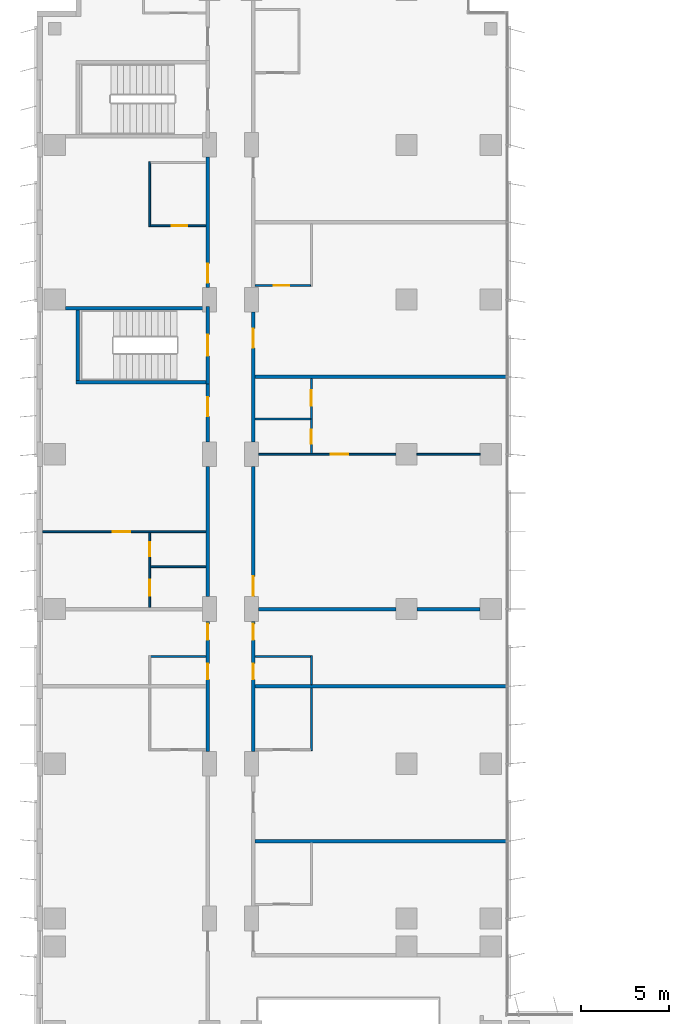
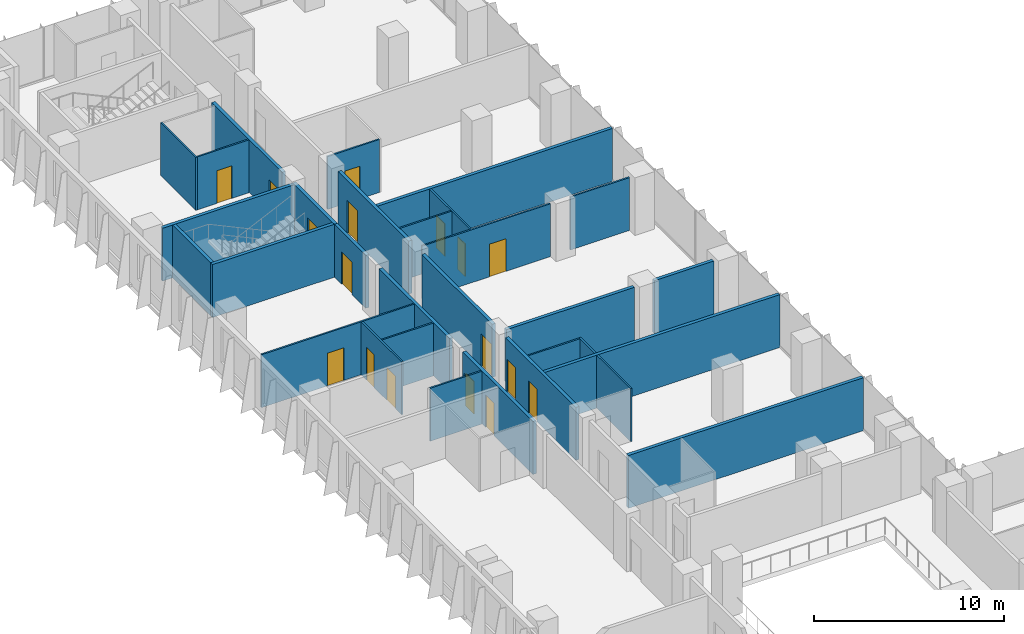
# One storey, part 16 of 22: 30 walls, 17 doors, 17 openings.
"""IFC4 building model written with IfcOpenShell, lengths in metres."""

from ifc_helpers import new_model, si_unit, direction, frame, frame_2d, origin, place, context, subcontext, project, spatial, rectangle, extrude, material, layer, layer_set, type_object, element, fill, save


model = new_model("IFC4")

# Units and contexts
model_context = context("Model", 3, precision=1e-05, world=origin(), true_north=direction((0.0, 1.0)))
body_context = subcontext(model_context, "Body", "Model", "MODEL_VIEW")
ifc_project = project(units=[si_unit("LENGTHUNIT", "METRE"), si_unit("AREAUNIT", "SQUARE_METRE"), si_unit("VOLUMEUNIT", "CUBIC_METRE"), si_unit("PLANEANGLEUNIT", "RADIAN"), si_unit("MASSUNIT", "GRAM", prefix="KILO")], contexts=[model_context])

# Site, building, storey
site_placement = place(None, origin())
site = spatial("IfcSite", under=ifc_project, at=site_placement, CompositionType="ELEMENT")
building_placement = place(site_placement, origin())
building = spatial("IfcBuilding", under=site, at=building_placement, Name="Kemantara Hotel Tower", CompositionType="ELEMENT")
storey_placement = place(building_placement, frame((0.0, 0.0, 125.89990234375)))
storey = spatial("IfcBuildingStorey", under=building, at=storey_placement, Name="L30", CompositionType="ELEMENT", Elevation=125.89990234375)

# Wall, openings, doors
ifc_material_1 = material(Name="Gypsum board partition, steel studs and mineral wool, 200 mm", Category="steel")
ifc_layer_1 = layer(ifc_material_1, 0.199951171875)
ifc_layer_set_1 = layer_set([ifc_layer_1], Name="Gypsum board partition, steel studs and mineral wool, 200 mm")
wall_type_1 = type_object("IfcWallType", Name="CORRIDOR WALL 200", PredefinedType="PARTITIONING", material=ifc_layer_set_1)
wall_1_placement = place(storey_placement, frame((9.699951171875, 36.900146484375, 0.0), z_axis=(0.0, 0.0, 1.0), x_axis=(0.0, 1.0, 0.0)))
wall_1 = element("IfcWall", 1, at=wall_1_placement, inside=storey, type_object=wall_type_1, Name="CORRIDOR WALL 200 018", PredefinedType="PARTITIONING", context=body_context, shape_type="SweptSolid", body=[
    extrude(rectangle(XDim=7.399658203125, YDim=0.199951171875, at=frame_2d((3.69970703125, 0.0))), origin(), (0.0, 0.0, 1.0), 3.400146484375),
])
opening_1_placement = place(wall_1_placement, frame((6.349853515625, 0.0, 0.0)))
opening_1 = element("IfcOpeningElement", 2, at=opening_1_placement, cuts=wall_1, Name="Opening F13-020", PredefinedType="OPENING", context=body_context, shape_type="SweptSolid", body=[
    extrude(rectangle(XDim=0.89990234375, YDim=2.10009765625, at=frame_2d((0.449951171875, 1.050048828125))), frame((0.0, 0.10986328125, 0.0), z_axis=(0.0, -1.0, 0.0), x_axis=(1.0, 0.0, 0.0)), (0.0, 0.0, 1.0), 0.219970703125),
])
opening_2_placement = place(wall_1_placement, frame((4.099853515625, 0.0, 0.0)))
opening_2 = element("IfcOpeningElement", 3, at=opening_2_placement, cuts=wall_1, Name="Opening F13-021", PredefinedType="OPENING", context=body_context, shape_type="SweptSolid", body=[
    extrude(rectangle(XDim=0.89990234375, YDim=2.10009765625, at=frame_2d((0.449951171875, 1.050048828125))), frame((0.0, 0.10986328125, 0.0), z_axis=(0.0, -1.0, 0.0), x_axis=(1.0, 0.0, 0.0)), (0.0, 0.0, 1.0), 0.219970703125),
])
ifc_material_2 = material(Name="Steel door leaf with steel frame", Category="steel")
door_type_1 = type_object("IfcDoorType", Name="SERVICE ROOM DOOR 900 X 2100 FD60", OperationType="NOTDEFINED", PredefinedType="DOOR", material=ifc_material_2)
door_1_placement = place(opening_1_placement, origin())
door_1 = element("IfcDoor", 4, at=door_1_placement, inside=storey, type_object=door_type_1, Name="SERVICE ROOM DOOR F13-020", OperationType="SINGLE_SWING_RIGHT", OverallHeight=2.10009765625, OverallWidth=0.89990234375, PredefinedType="DOOR", context=body_context, shape_type="SweptSolid", body=[
    extrude(rectangle(XDim=0.89990234375, YDim=2.10009765625, at=frame_2d((0.449951171875, 1.050048828125))), frame((0.0, 0.02490234375, 0.0), z_axis=(0.0, -1.0, 0.0), x_axis=(1.0, 0.0, 0.0)), (0.0, 0.0, 1.0), 0.050048828125),
])
fill(opening_1, door_1)
door_2_placement = place(opening_2_placement, origin())
door_2 = element("IfcDoor", 5, at=door_2_placement, inside=storey, type_object=door_type_1, Name="SERVICE ROOM DOOR F13-021", OperationType="SINGLE_SWING_LEFT", OverallHeight=2.10009765625, OverallWidth=0.89990234375, PredefinedType="DOOR", context=body_context, shape_type="SweptSolid", body=[
    extrude(rectangle(XDim=0.89990234375, YDim=2.10009765625, at=frame_2d((0.449951171875, 1.050048828125))), frame((0.0, 0.02490234375, 0.0), z_axis=(0.0, -1.0, 0.0), x_axis=(1.0, 0.0, 0.0)), (0.0, 0.0, 1.0), 0.050048828125),
])
fill(opening_2, door_2)

# Wall
wall_2_placement = place(storey_placement, frame((9.699951171875, 45.7001953125, 0.0), z_axis=(0.0, 0.0, 1.0), x_axis=(0.0, 1.0, 0.0)))
element("IfcWall", 6, at=wall_2_placement, inside=storey, type_object=wall_type_1, Name="CORRIDOR WALL 200 019", PredefinedType="PARTITIONING", context=body_context, shape_type="SweptSolid", body=[
    extrude(rectangle(XDim=7.399658203125, YDim=0.199951171875, at=frame_2d((3.69970703125, 0.0))), origin(), (0.0, 0.0, 1.0), 3.400146484375),
])

# Wall, opening, door
wall_3_placement = place(storey_placement, frame((9.699951171875, 54.5, 0.0), z_axis=(0.0, 0.0, 1.0), x_axis=(0.0, 1.0, 0.0)))
wall_3 = element("IfcWall", 7, at=wall_3_placement, inside=storey, type_object=wall_type_1, Name="CORRIDOR WALL 200 020", PredefinedType="PARTITIONING", context=body_context, shape_type="SweptSolid", body=[
    extrude(rectangle(XDim=3.300048828125, YDim=0.199951171875, at=frame_2d((1.64990234375, 0.0))), origin(), (0.0, 0.0, 1.0), 3.400146484375),
])
opening_3_placement = place(wall_3_placement, frame((1.449951171875, 0.0, 0.0)))
opening_3 = element("IfcOpeningElement", 8, at=opening_3_placement, cuts=wall_3, Name="Opening F13-022", PredefinedType="OPENING", context=body_context, shape_type="SweptSolid", body=[
    extrude(rectangle(XDim=1.10009765625, YDim=2.10009765625, at=frame_2d((0.550048828125, 1.050048828125))), frame((0.0, 0.10986328125, 0.0), z_axis=(0.0, -1.0, 0.0), x_axis=(1.0, 0.0, 0.0)), (0.0, 0.0, 1.0), 0.219970703125),
])
ifc_material_3 = material(Name="Hardwood veneer door leaf with steel frame", Category="steel")
door_type_2 = type_object("IfcDoorType", Name="SUITE ENTRANCE DOOR 1100 X 2100 FD30S", OperationType="NOTDEFINED", PredefinedType="DOOR", material=ifc_material_3)
door_3_placement = place(opening_3_placement, origin())
door_3 = element("IfcDoor", 9, at=door_3_placement, inside=storey, type_object=door_type_2, Name="SUITE ENTRANCE DOOR F13-022", OperationType="SINGLE_SWING_RIGHT", OverallHeight=2.10009765625, OverallWidth=1.10009765625, PredefinedType="DOOR", context=body_context, shape_type="SweptSolid", body=[
    extrude(rectangle(XDim=1.10009765625, YDim=2.10009765625, at=frame_2d((0.550048828125, 1.050048828125))), frame((0.0, 0.02490234375, 0.0), z_axis=(0.0, -1.0, 0.0), x_axis=(1.0, 0.0, 0.0)), (0.0, 0.0, 1.0), 0.050048828125),
])
fill(opening_3, door_3)

wall_4_placement = place(storey_placement, frame((9.699951171875, 63.300048828125, 0.0), z_axis=(0.0, 0.0, 1.0), x_axis=(0.0, 1.0, 0.0)))
wall_4 = element("IfcWall", 10, at=wall_4_placement, inside=storey, type_object=wall_type_1, Name="CORRIDOR WALL 200 021", PredefinedType="PARTITIONING", context=body_context, shape_type="SweptSolid", body=[
    extrude(rectangle(XDim=7.39990234375, YDim=0.199951171875, at=frame_2d((3.699951171875, 0.0))), origin(), (0.0, 0.0, 1.0), 3.400146484375),
])
opening_4_placement = place(wall_4_placement, frame((0.25, 0.0, 0.0)))
opening_4 = element("IfcOpeningElement", 11, at=opening_4_placement, cuts=wall_4, Name="Opening F13-026", PredefinedType="OPENING", context=body_context, shape_type="SweptSolid", body=[
    extrude(rectangle(XDim=1.10009765625, YDim=2.10009765625, at=frame_2d((0.550048828125, 1.050048828125))), frame((0.0, 0.10986328125, 0.0), z_axis=(0.0, -1.0, 0.0), x_axis=(1.0, 0.0, 0.0)), (0.0, 0.0, 1.0), 0.219970703125),
])
door_4_placement = place(opening_4_placement, origin())
door_4 = element("IfcDoor", 12, at=door_4_placement, inside=storey, type_object=door_type_2, Name="SUITE ENTRANCE DOOR F13-026", OperationType="SINGLE_SWING_LEFT", OverallHeight=2.10009765625, OverallWidth=1.10009765625, PredefinedType="DOOR", context=body_context, shape_type="SweptSolid", body=[
    extrude(rectangle(XDim=1.10009765625, YDim=2.10009765625, at=frame_2d((0.550048828125, 1.050048828125))), frame((0.0, 0.02490234375, 0.0), z_axis=(0.0, -1.0, 0.0), x_axis=(1.0, 0.0, 0.0)), (0.0, 0.0, 1.0), 0.050048828125),
])
fill(opening_4, door_4)

# Wall, openings, doors
wall_5_placement = place(storey_placement, frame((12.300048828125, 44.2998046875, 0.0), z_axis=(0.0, 0.0, 1.0), x_axis=(0.0, -1.0, 0.0)))
wall_5 = element("IfcWall", 13, at=wall_5_placement, inside=storey, type_object=wall_type_1, Name="CORRIDOR WALL 200 031", PredefinedType="PARTITIONING", context=body_context, shape_type="SweptSolid", body=[
    extrude(rectangle(XDim=7.399658203125, YDim=0.199951171875, at=frame_2d((3.69970703125, 0.0))), origin(), (0.0, 0.0, 1.0), 3.400146484375),
])
opening_5_placement = place(wall_5_placement, frame((0.14990234375, 0.0, 0.0)))
opening_5 = element("IfcOpeningElement", 14, at=opening_5_placement, cuts=wall_5, Name="Opening F13-034", PredefinedType="OPENING", context=body_context, shape_type="SweptSolid", body=[
    extrude(rectangle(XDim=0.89990234375, YDim=2.10009765625, at=frame_2d((0.449951171875, 1.050048828125))), frame((0.0, 0.10986328125, 0.0), z_axis=(0.0, -1.0, 0.0), x_axis=(1.0, 0.0, 0.0)), (0.0, 0.0, 1.0), 0.219970703125),
])
opening_6_placement = place(wall_5_placement, frame((2.39990234375, 0.0, 0.0)))
opening_6 = element("IfcOpeningElement", 15, at=opening_6_placement, cuts=wall_5, Name="Opening F13-035", PredefinedType="OPENING", context=body_context, shape_type="SweptSolid", body=[
    extrude(rectangle(XDim=0.89990234375, YDim=2.10009765625, at=frame_2d((0.449951171875, 1.050048828125))), frame((0.0, 0.10986328125, 0.0), z_axis=(0.0, -1.0, 0.0), x_axis=(1.0, 0.0, 0.0)), (0.0, 0.0, 1.0), 0.219970703125),
])
door_5_placement = place(opening_5_placement, origin())
door_5 = element("IfcDoor", 16, at=door_5_placement, inside=storey, type_object=door_type_1, Name="SERVICE ROOM DOOR F13-034", OperationType="SINGLE_SWING_LEFT", OverallHeight=2.10009765625, OverallWidth=0.89990234375, PredefinedType="DOOR", context=body_context, shape_type="SweptSolid", body=[
    extrude(rectangle(XDim=0.89990234375, YDim=2.10009765625, at=frame_2d((0.449951171875, 1.050048828125))), frame((0.0, 0.02490234375, 0.0), z_axis=(0.0, -1.0, 0.0), x_axis=(1.0, 0.0, 0.0)), (0.0, 0.0, 1.0), 0.050048828125),
])
fill(opening_5, door_5)
door_6_placement = place(opening_6_placement, origin())
door_6 = element("IfcDoor", 17, at=door_6_placement, inside=storey, type_object=door_type_1, Name="SERVICE ROOM DOOR F13-035", OperationType="SINGLE_SWING_RIGHT", OverallHeight=2.10009765625, OverallWidth=0.89990234375, PredefinedType="DOOR", context=body_context, shape_type="SweptSolid", body=[
    extrude(rectangle(XDim=0.89990234375, YDim=2.10009765625, at=frame_2d((0.449951171875, 1.050048828125))), frame((0.0, 0.02490234375, 0.0), z_axis=(0.0, -1.0, 0.0), x_axis=(1.0, 0.0, 0.0)), (0.0, 0.0, 1.0), 0.050048828125),
])
fill(opening_6, door_6)

# Wall, opening, door
wall_6_placement = place(storey_placement, frame((12.300048828125, 53.099853515625, 0.0), z_axis=(0.0, 0.0, 1.0), x_axis=(0.0, -1.0, 0.0)))
wall_6 = element("IfcWall", 18, at=wall_6_placement, inside=storey, type_object=wall_type_1, Name="CORRIDOR WALL 200 032", PredefinedType="PARTITIONING", context=body_context, shape_type="SweptSolid", body=[
    extrude(rectangle(XDim=7.399658203125, YDim=0.199951171875, at=frame_2d((3.69970703125, 0.0))), origin(), (0.0, 0.0, 1.0), 3.400146484375),
])
opening_7_placement = place(wall_6_placement, frame((6.25, 0.0, 0.0)))
opening_7 = element("IfcOpeningElement", 19, at=opening_7_placement, cuts=wall_6, Name="Opening F13-036", PredefinedType="OPENING", context=body_context, shape_type="SweptSolid", body=[
    extrude(rectangle(XDim=1.10009765625, YDim=2.10009765625, at=frame_2d((0.550048828125, 1.050048828125))), frame((0.0, 0.10986328125, 0.0), z_axis=(0.0, -1.0, 0.0), x_axis=(1.0, 0.0, 0.0)), (0.0, 0.0, 1.0), 0.219970703125),
])
door_7_placement = place(opening_7_placement, origin())
door_7 = element("IfcDoor", 20, at=door_7_placement, inside=storey, type_object=door_type_2, Name="SUITE ENTRANCE DOOR F13-036", OperationType="SINGLE_SWING_RIGHT", OverallHeight=2.10009765625, OverallWidth=1.10009765625, PredefinedType="DOOR", context=body_context, shape_type="SweptSolid", body=[
    extrude(rectangle(XDim=1.10009765625, YDim=2.10009765625, at=frame_2d((0.550048828125, 1.050048828125))), frame((0.0, 0.02490234375, 0.0), z_axis=(0.0, -1.0, 0.0), x_axis=(1.0, 0.0, 0.0)), (0.0, 0.0, 1.0), 0.050048828125),
])
fill(opening_7, door_7)

wall_7_placement = place(storey_placement, frame((12.300048828125, 61.89990234375, 0.0), z_axis=(0.0, 0.0, 1.0), x_axis=(0.0, -1.0, 0.0)))
wall_7 = element("IfcWall", 21, at=wall_7_placement, inside=storey, type_object=wall_type_1, Name="CORRIDOR WALL 200 033", PredefinedType="PARTITIONING", context=body_context, shape_type="SweptSolid", body=[
    extrude(rectangle(XDim=7.39990234375, YDim=0.199951171875, at=frame_2d((3.699951171875, 0.0))), origin(), (0.0, 0.0, 1.0), 3.400146484375),
])
opening_8_placement = place(wall_7_placement, frame((0.949951171875, 0.0, 0.0)))
opening_8 = element("IfcOpeningElement", 22, at=opening_8_placement, cuts=wall_7, Name="Opening F13-040", PredefinedType="OPENING", context=body_context, shape_type="SweptSolid", body=[
    extrude(rectangle(XDim=1.10009765625, YDim=2.10009765625, at=frame_2d((0.550048828125, 1.050048828125))), frame((0.0, 0.10986328125, 0.0), z_axis=(0.0, -1.0, 0.0), x_axis=(1.0, 0.0, 0.0)), (0.0, 0.0, 1.0), 0.219970703125),
])
door_8_placement = place(opening_8_placement, origin())
door_8 = element("IfcDoor", 23, at=door_8_placement, inside=storey, type_object=door_type_2, Name="SUITE ENTRANCE DOOR F13-040", OperationType="SINGLE_SWING_RIGHT", OverallHeight=2.10009765625, OverallWidth=1.10009765625, PredefinedType="DOOR", context=body_context, shape_type="SweptSolid", body=[
    extrude(rectangle(XDim=1.10009765625, YDim=2.10009765625, at=frame_2d((0.550048828125, 1.050048828125))), frame((0.0, 0.02490234375, 0.0), z_axis=(0.0, -1.0, 0.0), x_axis=(1.0, 0.0, 0.0)), (0.0, 0.0, 1.0), 0.050048828125),
])
fill(opening_8, door_8)

ifc_material_4 = material(Name="Concrete fc 40 MPa", Category="concrete")
ifc_layer_2 = layer(ifc_material_4, 0.199951171875)
ifc_layer_set_2 = layer_set([ifc_layer_2], Name="Concrete fc 40 MPa")
wall_type_2 = type_object("IfcWallType", Name="Concrete stair wall 200 mm", PredefinedType="SHEAR", material=ifc_layer_set_2)
wall_8_placement = place(storey_placement, frame((9.699951171875, 57.800048828125, 0.0), z_axis=(0.0, 0.0, 1.0), x_axis=(0.0, 1.0, 0.0)))
wall_8 = element("IfcWall", 24, at=wall_8_placement, inside=storey, type_object=wall_type_2, Name="Stair ST4 enclosure wall with door", PredefinedType="SHEAR", context=body_context, shape_type="SweptSolid", body=[
    extrude(rectangle(XDim=4.39990234375, YDim=0.199951171875, at=frame_2d((2.199951171875, 0.0))), origin(), (0.0, 0.0, 1.0), 3.400146484375),
])
opening_9_placement = place(wall_8_placement, frame((1.60009765625, 0.0, 0.0)))
opening_9 = element("IfcOpeningElement", 25, at=opening_9_placement, cuts=wall_8, Name="Opening ST4-C", PredefinedType="OPENING", context=body_context, shape_type="SweptSolid", body=[
    extrude(rectangle(XDim=1.199951171875, YDim=2.10009765625, at=frame_2d((0.60009765625, 1.050048828125))), frame((0.0, 0.10986328125, 0.0), z_axis=(0.0, -1.0, 0.0), x_axis=(1.0, 0.0, 0.0)), (0.0, 0.0, 1.0), 0.219970703125),
])
ifc_material_5 = material(Name="Steel fire door", Category="steel")
door_type_3 = type_object("IfcDoorType", Name="Fire door FD90 1200 x 2100", OperationType="NOTDEFINED", PredefinedType="DOOR", material=ifc_material_5)
door_9_placement = place(opening_9_placement, origin())
door_9 = element("IfcDoor", 26, at=door_9_placement, inside=storey, type_object=door_type_3, Name="Stair ST4 door", OperationType="SINGLE_SWING_RIGHT", OverallHeight=2.10009765625, OverallWidth=1.199951171875, PredefinedType="DOOR", context=body_context, shape_type="SweptSolid", body=[
    extrude(rectangle(XDim=1.199951171875, YDim=2.10009765625, at=frame_2d((0.60009765625, 1.050048828125))), frame((0.0, 0.02490234375, 0.0), z_axis=(0.0, -1.0, 0.0), x_axis=(1.0, 0.0, 0.0)), (0.0, 0.0, 1.0), 0.050048828125),
])
fill(opening_9, door_9)

# Walls
wall_9_placement = place(storey_placement, frame((1.60009765625, 62.10009765625, 0.0), z_axis=(0.0, 0.0, 1.0), x_axis=(1.0, 0.0, 0.0)))
element("IfcWall", 27, at=wall_9_placement, inside=storey, type_object=wall_type_2, Name="Stair ST4 enclosure wall N", PredefinedType="SHEAR", context=body_context, shape_type="SweptSolid", body=[
    extrude(rectangle(XDim=8.0, YDim=0.199951171875, at=frame_2d((4.0, 0.0))), origin(), (0.0, 0.0, 1.0), 3.400146484375),
])
wall_10_placement = place(storey_placement, frame((2.199951171875, 57.89990234375, 0.0), z_axis=(0.0, 0.0, 1.0), x_axis=(1.0, 0.0, 0.0)))
element("IfcWall", 28, at=wall_10_placement, inside=storey, type_object=wall_type_2, Name="Stair ST4 enclosure wall S", PredefinedType="SHEAR", context=body_context, shape_type="SweptSolid", body=[
    extrude(rectangle(XDim=7.400146484375, YDim=0.199951171875, at=frame_2d((3.7001953125, 0.0))), origin(), (0.0, 0.0, 1.0), 3.400146484375),
])
wall_11_placement = place(storey_placement, frame((2.300048828125, 58.0, 0.0), z_axis=(0.0, 0.0, 1.0), x_axis=(0.0, 1.0, 0.0)))
element("IfcWall", 29, at=wall_11_placement, inside=storey, type_object=wall_type_2, Name="Stair ST4 enclosure wall W", PredefinedType="SHEAR", context=body_context, shape_type="SweptSolid", body=[
    extrude(rectangle(XDim=4.0, YDim=0.199951171875, at=frame_2d((2.0, 0.0))), origin(), (0.0, 0.0, 1.0), 3.400146484375),
])
ifc_layer_3 = layer(ifc_material_1, 0.199951171875)
ifc_layer_set_3 = layer_set([ifc_layer_3], Name="Gypsum board partition, steel studs and mineral wool, 200 mm")
wall_type_3 = type_object("IfcWallType", Name="GUEST ROOM PARTY WALL 200", PredefinedType="PARTITIONING", material=ifc_layer_set_3)
wall_12_placement = place(storey_placement, frame((12.39990234375, 40.60009765625, 0.0), z_axis=(0.0, 0.0, 1.0), x_axis=(1.0, 0.0, 0.0)))
element("IfcWall", 30, at=wall_12_placement, inside=storey, type_object=wall_type_3, Name="GUEST ROOM PARTY WALL 200 025", PredefinedType="PARTITIONING", context=body_context, shape_type="SweptSolid", body=[
    extrude(rectangle(XDim=14.27001953125, YDim=0.199951171875, at=frame_2d((7.135009765625, 0.0))), origin(), (0.0, 0.0, 1.0), 3.400146484375),
])
wall_13_placement = place(storey_placement, frame((12.60009765625, 45.0, 0.0), z_axis=(0.0, 0.0, 1.0), x_axis=(1.0, 0.0, 0.0)))
element("IfcWall", 31, at=wall_13_placement, inside=storey, type_object=wall_type_3, Name="GUEST ROOM PARTY WALL 200 027", PredefinedType="PARTITIONING", context=body_context, shape_type="SweptSolid", body=[
    extrude(rectangle(XDim=7.7998046875, YDim=0.199951171875, at=frame_2d((3.89990234375, 0.0))), origin(), (0.0, 0.0, 1.0), 3.400146484375),
])
wall_14_placement = place(storey_placement, frame((21.60009765625, 45.0, 0.0), z_axis=(0.0, 0.0, 1.0), x_axis=(1.0, 0.0, 0.0)))
element("IfcWall", 32, at=wall_14_placement, inside=storey, type_object=wall_type_3, Name="GUEST ROOM PARTY WALL 200 028", PredefinedType="PARTITIONING", context=body_context, shape_type="SweptSolid", body=[
    extrude(rectangle(XDim=3.599853515625, YDim=0.199951171875, at=frame_2d((1.7998046875, 0.0))), origin(), (0.0, 0.0, 1.0), 3.400146484375),
])
for number, where, z_axis, x_axis, name in (
    (33, (12.39990234375, 31.800048828125, 0.0), (0.0, 0.0, 1.0), (1.0, 0.0, 0.0), "GUEST ROOM PARTY WALL 200 038"),
    (34, (12.39990234375, 58.199951171875, 0.0), (0.0, 0.0, 1.0), (1.0, 0.0, 0.0), "GUEST ROOM PARTY WALL 200 039"),
):
    element("IfcWall", number, at=place(storey_placement, frame(where, z_axis=z_axis, x_axis=x_axis)), inside=storey, type_object=wall_type_3, Name=name, PredefinedType="PARTITIONING", context=body_context, shape_type="SweptSolid", body=[
        extrude(rectangle(XDim=14.27001953125, YDim=0.199951171875, at=frame_2d((7.135009765625, 0.0))), origin(), (0.0, 0.0, 1.0), 3.400146484375),
    ])

# Wall, openings, doors
ifc_material_6 = material(Name="Gypsum board partition on steel studs, 100 mm", Category="steel")
ifc_layer_4 = layer(ifc_material_6, 0.10009765625)
ifc_layer_set_4 = layer_set([ifc_layer_4], Name="Gypsum board partition on steel studs, 100 mm")
wall_type_4 = type_object("IfcWallType", Name="ROOM PARTITION 100", PredefinedType="PARTITIONING", material=ifc_layer_set_4)
wall_15_placement = place(storey_placement, frame((6.39990234375, 49.35009765625, 0.0), z_axis=(0.0, 0.0, 1.0), x_axis=(0.0, -1.0, 0.0)))
wall_15 = element("IfcWall", 35, at=wall_15_placement, inside=storey, type_object=wall_type_4, Name="ROOM PARTITION 100 063", PredefinedType="PARTITIONING", context=body_context, shape_type="SweptSolid", body=[
    extrude(rectangle(XDim=4.25, YDim=0.10009765625, at=frame_2d((2.125, 0.0))), origin(), (0.0, 0.0, 1.0), 3.400146484375),
])
opening_10_placement = place(wall_15_placement, frame((2.699951171875, 0.0, 0.0)))
opening_10 = element("IfcOpeningElement", 36, at=opening_10_placement, cuts=wall_15, Name="Opening F13-024", PredefinedType="OPENING", context=body_context, shape_type="SweptSolid", body=[
    extrude(rectangle(XDim=0.89990234375, YDim=2.10009765625, at=frame_2d((0.449951171875, 1.050048828125))), frame((0.0, 0.06005859375, 0.0), z_axis=(0.0, -1.0, 0.0), x_axis=(1.0, 0.0, 0.0)), (0.0, 0.0, 1.0), 0.1201171875),
])
opening_11_placement = place(wall_15_placement, frame((0.550048828125, 0.0, 0.0)))
opening_11 = element("IfcOpeningElement", 37, at=opening_11_placement, cuts=wall_15, Name="Opening F13-025", PredefinedType="OPENING", context=body_context, shape_type="SweptSolid", body=[
    extrude(rectangle(XDim=0.800048828125, YDim=2.10009765625, at=frame_2d((0.39990234375, 1.050048828125))), frame((0.0, 0.06005859375, 0.0), z_axis=(0.0, -1.0, 0.0), x_axis=(1.0, 0.0, 0.0)), (0.0, 0.0, 1.0), 0.1201171875),
])
door_type_4 = type_object("IfcDoorType", Name="BATHROOM DOOR 900 X 2100", OperationType="NOTDEFINED", PredefinedType="DOOR", material=ifc_material_3)
door_10_placement = place(opening_10_placement, origin())
door_10 = element("IfcDoor", 38, at=door_10_placement, inside=storey, type_object=door_type_4, Name="BATHROOM DOOR F13-024", OperationType="SINGLE_SWING_LEFT", OverallHeight=2.10009765625, OverallWidth=0.89990234375, PredefinedType="DOOR", context=body_context, shape_type="SweptSolid", body=[
    extrude(rectangle(XDim=0.89990234375, YDim=2.10009765625, at=frame_2d((0.449951171875, 1.050048828125))), frame((0.0, 0.02490234375, 0.0), z_axis=(0.0, -1.0, 0.0), x_axis=(1.0, 0.0, 0.0)), (0.0, 0.0, 1.0), 0.050048828125),
])
fill(opening_10, door_10)
door_type_5 = type_object("IfcDoorType", Name="WARDROBE DOOR 800 X 2100", OperationType="NOTDEFINED", PredefinedType="DOOR", material=ifc_material_3)
door_11_placement = place(opening_11_placement, origin())
door_11 = element("IfcDoor", 39, at=door_11_placement, inside=storey, type_object=door_type_5, Name="WARDROBE DOOR F13-025", OperationType="SINGLE_SWING_LEFT", OverallHeight=2.10009765625, OverallWidth=0.800048828125, PredefinedType="DOOR", context=body_context, shape_type="SweptSolid", body=[
    extrude(rectangle(XDim=0.800048828125, YDim=2.10009765625, at=frame_2d((0.39990234375, 1.050048828125))), frame((0.0, 0.02490234375, 0.0), z_axis=(0.0, -1.0, 0.0), x_axis=(1.0, 0.0, 0.0)), (0.0, 0.0, 1.0), 0.050048828125),
])
fill(opening_11, door_11)

# Walls
wall_16_placement = place(storey_placement, frame((6.39990234375, 66.75, 0.0), z_axis=(0.0, 0.0, 1.0), x_axis=(0.0, 1.0, 0.0)))
element("IfcWall", 40, at=wall_16_placement, inside=storey, type_object=wall_type_4, Name="ROOM PARTITION 100 064", PredefinedType="PARTITIONING", context=body_context, shape_type="SweptSolid", body=[
    extrude(rectangle(XDim=3.699951171875, YDim=0.10009765625, at=frame_2d((1.85009765625, 0.0))), origin(), (0.0, 0.0, 1.0), 3.400146484375),
])
for number, where, z_axis, x_axis, name in (
    (41, (6.449951171875, 42.300048828125, 0.0), (0.0, 0.0, 1.0), (1.0, 0.0, 0.0), "ROOM PARTITION 100 067"),
    (42, (12.39990234375, 42.300048828125, 0.0), (0.0, 0.0, 1.0), (1.0, 0.0, 0.0), "ROOM PARTITION 100 068"),
):
    element("IfcWall", number, at=place(storey_placement, frame(where, z_axis=z_axis, x_axis=x_axis)), inside=storey, type_object=wall_type_4, Name=name, PredefinedType="PARTITIONING", context=body_context, shape_type="SweptSolid", body=[
        extrude(rectangle(XDim=3.150146484375, YDim=0.10009765625, at=frame_2d((1.5751953125, 0.0))), origin(), (0.0, 0.0, 1.0), 3.400146484375),
    ])

# Wall, opening, door
wall_17_placement = place(storey_placement, frame((9.60009765625, 49.39990234375, 0.0), z_axis=(0.0, 0.0, 1.0), x_axis=(-1.0, 0.0, 0.0)))
wall_17 = element("IfcWall", 43, at=wall_17_placement, inside=storey, type_object=wall_type_4, Name="ROOM PARTITION 100 069", PredefinedType="PARTITIONING", context=body_context, shape_type="SweptSolid", body=[
    extrude(rectangle(XDim=9.2900390625, YDim=0.10009765625, at=frame_2d((4.64501953125, 0.0))), origin(), (0.0, 0.0, 1.0), 3.400146484375),
])
opening_12_placement = place(wall_17_placement, frame((4.300048828125, 0.0, 0.0)))
opening_12 = element("IfcOpeningElement", 44, at=opening_12_placement, cuts=wall_17, Name="Opening F13-023", PredefinedType="OPENING", context=body_context, shape_type="SweptSolid", body=[
    extrude(rectangle(XDim=1.0, YDim=2.10009765625, at=frame_2d((0.5, 1.050048828125))), frame((0.0, 0.06005859375, 0.0), z_axis=(0.0, -1.0, 0.0), x_axis=(1.0, 0.0, 0.0)), (0.0, 0.0, 1.0), 0.1201171875),
])
door_type_6 = type_object("IfcDoorType", Name="INTERNAL DOOR 1000 X 2100", OperationType="NOTDEFINED", PredefinedType="DOOR", material=ifc_material_3)
door_12_placement = place(opening_12_placement, origin())
door_12 = element("IfcDoor", 45, at=door_12_placement, inside=storey, type_object=door_type_6, Name="INTERNAL DOOR F13-023", OperationType="SINGLE_SWING_LEFT", OverallHeight=2.10009765625, OverallWidth=1.0, PredefinedType="DOOR", context=body_context, shape_type="SweptSolid", body=[
    extrude(rectangle(XDim=1.0, YDim=2.10009765625, at=frame_2d((0.5, 1.050048828125))), frame((0.0, 0.02490234375, 0.0), z_axis=(0.0, -1.0, 0.0), x_axis=(1.0, 0.0, 0.0)), (0.0, 0.0, 1.0), 0.050048828125),
])
fill(opening_12, door_12)

# Wall
wall_18_placement = place(storey_placement, frame((6.449951171875, 47.39990234375, 0.0), z_axis=(0.0, 0.0, 1.0), x_axis=(1.0, 0.0, 0.0)))
element("IfcWall", 46, at=wall_18_placement, inside=storey, type_object=wall_type_4, Name="ROOM PARTITION 100 070", PredefinedType="PARTITIONING", context=body_context, shape_type="SweptSolid", body=[
    extrude(rectangle(XDim=3.150146484375, YDim=0.10009765625, at=frame_2d((1.5751953125, 0.0))), origin(), (0.0, 0.0, 1.0), 3.400146484375),
])

# Wall, opening, door
wall_19_placement = place(storey_placement, frame((6.449951171875, 66.800048828125, 0.0), z_axis=(0.0, 0.0, 1.0), x_axis=(1.0, 0.0, 0.0)))
wall_19 = element("IfcWall", 47, at=wall_19_placement, inside=storey, type_object=wall_type_4, Name="ROOM PARTITION 100 071", PredefinedType="PARTITIONING", context=body_context, shape_type="SweptSolid", body=[
    extrude(rectangle(XDim=3.150146484375, YDim=0.10009765625, at=frame_2d((1.5751953125, 0.0))), origin(), (0.0, 0.0, 1.0), 3.400146484375),
])
opening_13_placement = place(wall_19_placement, frame((1.199951171875, 0.0, 0.0)))
opening_13 = element("IfcOpeningElement", 48, at=opening_13_placement, cuts=wall_19, Name="Opening F13-027", PredefinedType="OPENING", context=body_context, shape_type="SweptSolid", body=[
    extrude(rectangle(XDim=0.89990234375, YDim=2.10009765625, at=frame_2d((0.449951171875, 1.050048828125))), frame((0.0, 0.06005859375, 0.0), z_axis=(0.0, -1.0, 0.0), x_axis=(1.0, 0.0, 0.0)), (0.0, 0.0, 1.0), 0.1201171875),
])
door_13_placement = place(opening_13_placement, origin())
door_13 = element("IfcDoor", 49, at=door_13_placement, inside=storey, type_object=door_type_4, Name="BATHROOM DOOR F13-027", OperationType="SINGLE_SWING_RIGHT", OverallHeight=2.10009765625, OverallWidth=0.89990234375, PredefinedType="DOOR", context=body_context, shape_type="SweptSolid", body=[
    extrude(rectangle(XDim=0.89990234375, YDim=2.10009765625, at=frame_2d((0.449951171875, 1.050048828125))), frame((0.0, 0.02490234375, 0.0), z_axis=(0.0, -1.0, 0.0), x_axis=(1.0, 0.0, 0.0)), (0.0, 0.0, 1.0), 0.050048828125),
])
fill(opening_13, door_13)

# Walls
wall_20_placement = place(storey_placement, frame((15.60009765625, 36.949951171875, 0.0), z_axis=(0.0, 0.0, 1.0), x_axis=(0.0, 1.0, 0.0)))
element("IfcWall", 50, at=wall_20_placement, inside=storey, type_object=wall_type_4, Name="ROOM PARTITION 100 075", PredefinedType="PARTITIONING", context=body_context, shape_type="SweptSolid", body=[
    extrude(rectangle(XDim=3.550048828125, YDim=0.10009765625, at=frame_2d((1.77490234375, 0.0))), origin(), (0.0, 0.0, 1.0), 3.400146484375),
])
wall_21_placement = place(storey_placement, frame((15.60009765625, 40.699951171875, 0.0), z_axis=(0.0, 0.0, 1.0), x_axis=(0.0, 1.0, 0.0)))
element("IfcWall", 51, at=wall_21_placement, inside=storey, type_object=wall_type_4, Name="ROOM PARTITION 100 076", PredefinedType="PARTITIONING", context=body_context, shape_type="SweptSolid", body=[
    extrude(rectangle(XDim=1.650146484375, YDim=0.10009765625, at=frame_2d((0.8251953125, 0.0))), origin(), (0.0, 0.0, 1.0), 3.400146484375),
])

# Wall, openings, doors
wall_22_placement = place(storey_placement, frame((15.60009765625, 53.85009765625, 0.0), z_axis=(0.0, 0.0, 1.0), x_axis=(0.0, 1.0, 0.0)))
wall_22 = element("IfcWall", 52, at=wall_22_placement, inside=storey, type_object=wall_type_4, Name="ROOM PARTITION 100 077", PredefinedType="PARTITIONING", context=body_context, shape_type="SweptSolid", body=[
    extrude(rectangle(XDim=4.25, YDim=0.10009765625, at=frame_2d((2.125, 0.0))), origin(), (0.0, 0.0, 1.0), 3.400146484375),
])
opening_14_placement = place(wall_22_placement, frame((2.699951171875, 0.0, 0.0)))
opening_14 = element("IfcOpeningElement", 53, at=opening_14_placement, cuts=wall_22, Name="Opening F13-038", PredefinedType="OPENING", context=body_context, shape_type="SweptSolid", body=[
    extrude(rectangle(XDim=0.89990234375, YDim=2.10009765625, at=frame_2d((0.449951171875, 1.050048828125))), frame((0.0, 0.06005859375, 0.0), z_axis=(0.0, -1.0, 0.0), x_axis=(1.0, 0.0, 0.0)), (0.0, 0.0, 1.0), 0.1201171875),
])
opening_15_placement = place(wall_22_placement, frame((0.550048828125, 0.0, 0.0)))
opening_15 = element("IfcOpeningElement", 54, at=opening_15_placement, cuts=wall_22, Name="Opening F13-039", PredefinedType="OPENING", context=body_context, shape_type="SweptSolid", body=[
    extrude(rectangle(XDim=0.800048828125, YDim=2.10009765625, at=frame_2d((0.39990234375, 1.050048828125))), frame((0.0, 0.06005859375, 0.0), z_axis=(0.0, -1.0, 0.0), x_axis=(1.0, 0.0, 0.0)), (0.0, 0.0, 1.0), 0.1201171875),
])
door_14_placement = place(opening_14_placement, origin())
door_14 = element("IfcDoor", 55, at=door_14_placement, inside=storey, type_object=door_type_4, Name="BATHROOM DOOR F13-038", OperationType="SINGLE_SWING_LEFT", OverallHeight=2.10009765625, OverallWidth=0.89990234375, PredefinedType="DOOR", context=body_context, shape_type="SweptSolid", body=[
    extrude(rectangle(XDim=0.89990234375, YDim=2.10009765625, at=frame_2d((0.449951171875, 1.050048828125))), frame((0.0, 0.02490234375, 0.0), z_axis=(0.0, -1.0, 0.0), x_axis=(1.0, 0.0, 0.0)), (0.0, 0.0, 1.0), 0.050048828125),
])
fill(opening_14, door_14)
door_15_placement = place(opening_15_placement, origin())
door_15 = element("IfcDoor", 56, at=door_15_placement, inside=storey, type_object=door_type_5, Name="WARDROBE DOOR F13-039", OperationType="SINGLE_SWING_LEFT", OverallHeight=2.10009765625, OverallWidth=0.800048828125, PredefinedType="DOOR", context=body_context, shape_type="SweptSolid", body=[
    extrude(rectangle(XDim=0.800048828125, YDim=2.10009765625, at=frame_2d((0.39990234375, 1.050048828125))), frame((0.0, 0.02490234375, 0.0), z_axis=(0.0, -1.0, 0.0), x_axis=(1.0, 0.0, 0.0)), (0.0, 0.0, 1.0), 0.050048828125),
])
fill(opening_15, door_15)

# Wall, opening, door
wall_23_placement = place(storey_placement, frame((12.60009765625, 53.800048828125, 0.0), z_axis=(0.0, 0.0, 1.0), x_axis=(1.0, 0.0, 0.0)))
wall_23 = element("IfcWall", 57, at=wall_23_placement, inside=storey, type_object=wall_type_4, Name="ROOM PARTITION 100 080", PredefinedType="PARTITIONING", context=body_context, shape_type="SweptSolid", body=[
    extrude(rectangle(XDim=7.7998046875, YDim=0.10009765625, at=frame_2d((3.89990234375, 0.0))), origin(), (0.0, 0.0, 1.0), 3.400146484375),
])
opening_16_placement = place(wall_23_placement, frame((4.099853515625, 0.0, 0.0)))
opening_16 = element("IfcOpeningElement", 58, at=opening_16_placement, cuts=wall_23, Name="Opening F13-037", PredefinedType="OPENING", context=body_context, shape_type="SweptSolid", body=[
    extrude(rectangle(XDim=1.0, YDim=2.10009765625, at=frame_2d((0.5, 1.050048828125))), frame((0.0, 0.06005859375, 0.0), z_axis=(0.0, -1.0, 0.0), x_axis=(1.0, 0.0, 0.0)), (0.0, 0.0, 1.0), 0.1201171875),
])
door_16_placement = place(opening_16_placement, origin())
door_16 = element("IfcDoor", 59, at=door_16_placement, inside=storey, type_object=door_type_6, Name="INTERNAL DOOR F13-037", OperationType="SINGLE_SWING_LEFT", OverallHeight=2.10009765625, OverallWidth=1.0, PredefinedType="DOOR", context=body_context, shape_type="SweptSolid", body=[
    extrude(rectangle(XDim=1.0, YDim=2.10009765625, at=frame_2d((0.5, 1.050048828125))), frame((0.0, 0.02490234375, 0.0), z_axis=(0.0, -1.0, 0.0), x_axis=(1.0, 0.0, 0.0)), (0.0, 0.0, 1.0), 0.050048828125),
])
fill(opening_16, door_16)

# Walls
wall_24_placement = place(storey_placement, frame((21.60009765625, 53.800048828125, 0.0), z_axis=(0.0, 0.0, 1.0), x_axis=(1.0, 0.0, 0.0)))
element("IfcWall", 60, at=wall_24_placement, inside=storey, type_object=wall_type_4, Name="ROOM PARTITION 100 081", PredefinedType="PARTITIONING", context=body_context, shape_type="SweptSolid", body=[
    extrude(rectangle(XDim=3.599853515625, YDim=0.10009765625, at=frame_2d((1.7998046875, 0.0))), origin(), (0.0, 0.0, 1.0), 3.400146484375),
])
wall_25_placement = place(storey_placement, frame((12.39990234375, 55.800048828125, 0.0), z_axis=(0.0, 0.0, 1.0), x_axis=(1.0, 0.0, 0.0)))
element("IfcWall", 61, at=wall_25_placement, inside=storey, type_object=wall_type_4, Name="ROOM PARTITION 100 082", PredefinedType="PARTITIONING", context=body_context, shape_type="SweptSolid", body=[
    extrude(rectangle(XDim=3.150146484375, YDim=0.10009765625, at=frame_2d((1.5751953125, 0.0))), origin(), (0.0, 0.0, 1.0), 3.400146484375),
])

# Wall, opening, door
wall_26_placement = place(storey_placement, frame((12.39990234375, 63.39990234375, 0.0), z_axis=(0.0, 0.0, 1.0), x_axis=(1.0, 0.0, 0.0)))
wall_26 = element("IfcWall", 62, at=wall_26_placement, inside=storey, type_object=wall_type_4, Name="ROOM PARTITION 100 083", PredefinedType="PARTITIONING", context=body_context, shape_type="SweptSolid", body=[
    extrude(rectangle(XDim=3.150146484375, YDim=0.10009765625, at=frame_2d((1.5751953125, 0.0))), origin(), (0.0, 0.0, 1.0), 3.400146484375),
])
opening_17_placement = place(wall_26_placement, frame((1.050048828125, 0.0, 0.0)))
opening_17 = element("IfcOpeningElement", 63, at=opening_17_placement, cuts=wall_26, Name="Opening F13-041", PredefinedType="OPENING", context=body_context, shape_type="SweptSolid", body=[
    extrude(rectangle(XDim=0.89990234375, YDim=2.10009765625, at=frame_2d((0.449951171875, 1.050048828125))), frame((0.0, 0.06005859375, 0.0), z_axis=(0.0, -1.0, 0.0), x_axis=(1.0, 0.0, 0.0)), (0.0, 0.0, 1.0), 0.1201171875),
])
door_17_placement = place(opening_17_placement, origin())
door_17 = element("IfcDoor", 64, at=door_17_placement, inside=storey, type_object=door_type_4, Name="BATHROOM DOOR F13-041", OperationType="SINGLE_SWING_LEFT", OverallHeight=2.10009765625, OverallWidth=0.89990234375, PredefinedType="DOOR", context=body_context, shape_type="SweptSolid", body=[
    extrude(rectangle(XDim=0.89990234375, YDim=2.10009765625, at=frame_2d((0.449951171875, 1.050048828125))), frame((0.0, 0.02490234375, 0.0), z_axis=(0.0, -1.0, 0.0), x_axis=(1.0, 0.0, 0.0)), (0.0, 0.0, 1.0), 0.050048828125),
])
fill(opening_17, door_17)

save(model, "model.ifc")
